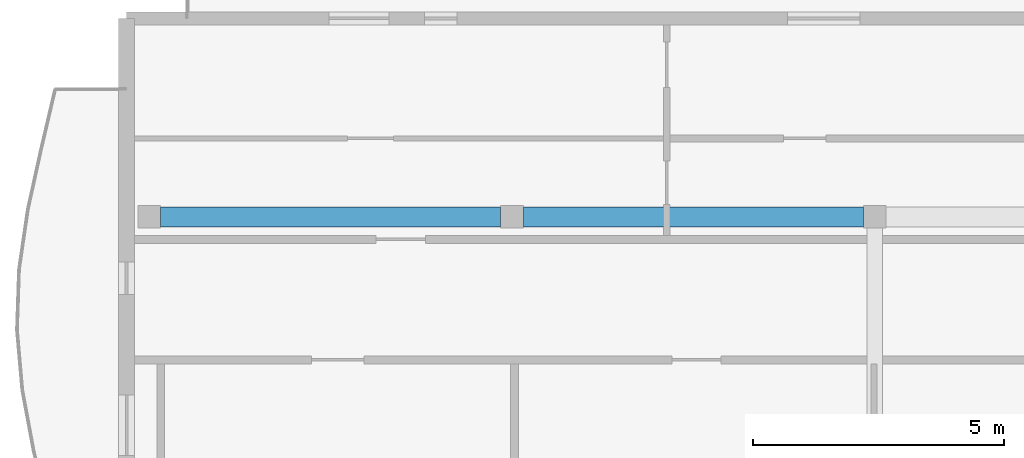
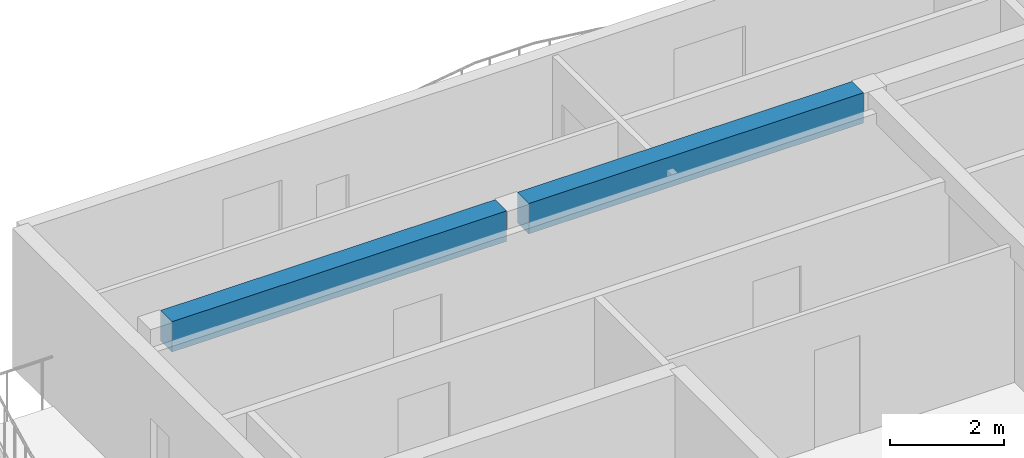
# One storey, part 5 of 14: 2 beams.
"""IFC4 building model written with IfcOpenShell, lengths in metres."""

from ifc_helpers import new_model, si_unit, direction, frame, origin, origin_2d, place, context, subcontext, project, spatial, rectangle, extrude, material, material_profile, profile_set, type_object, element, save


model = new_model("IFC4")

# Units and contexts
model_context = context("Model", 3, precision=1e-05, world=origin(), true_north=direction((0.0, 1.0)))
body_context = subcontext(model_context, "Body", "Model", "MODEL_VIEW")
ifc_project = project(units=[si_unit("LENGTHUNIT", "METRE"), si_unit("AREAUNIT", "SQUARE_METRE"), si_unit("VOLUMEUNIT", "CUBIC_METRE"), si_unit("PLANEANGLEUNIT", "RADIAN"), si_unit("MASSUNIT", "GRAM", prefix="KILO")], contexts=[model_context])

# Site, building, storey
site_placement = place(None, origin())
site = spatial("IfcSite", under=ifc_project, at=site_placement, CompositionType="ELEMENT")
building_placement = place(site_placement, origin())
building = spatial("IfcBuilding", under=site, at=building_placement, Name="Keldmere Railside Commons", CompositionType="ELEMENT")
storey_placement = place(building_placement, frame((0.0, 0.0, 42.56005859375)))
storey = spatial("IfcBuildingStorey", under=building, at=storey_placement, Name="L13", CompositionType="ELEMENT", Elevation=42.56005859375)

# Beams
ifc_material = material(Name="Concrete H-30 (C30/37)", Category="concrete")
ifc_material_profile = material_profile(ifc_material, rectangle(XDim=0.39990234375, YDim=0.64990234375, at=origin_2d()), Name="RC-400x650")
ifc_profile_set = profile_set([ifc_material_profile], Name="Concrete H-30 (C30/37)")
beam_type = type_object("IfcBeamType", Name="Residential Spine RC Girder 400x650", PredefinedType="BEAM", material=ifc_profile_set)
for number, where, z_axis, x_axis, name in (
    (1, (147.675048828125, 109.64990234375, 2.875), (1.0, 0.0, 0.0), (0.0, 1.0, 0.0), "BG-3 BM-L13-2522"),
    (2, (154.89501953125, 109.64990234375, 2.875), (1.0, 0.0, 0.0), (0.0, 1.0, 0.0), "BG-3 BM-L13-2523"),
):
    element("IfcBeam", number, at=place(storey_placement, frame(where, z_axis=z_axis, x_axis=x_axis)), inside=storey, type_object=beam_type, Name=name, PredefinedType="BEAM", context=body_context, shape_type="SweptSolid", body=[
        extrude(rectangle(XDim=0.39990234375, YDim=0.64990234375, at=origin_2d()), origin(), (0.0, 0.0, 1.0), 6.77001953125),
    ])

save(model, "model.ifc")
